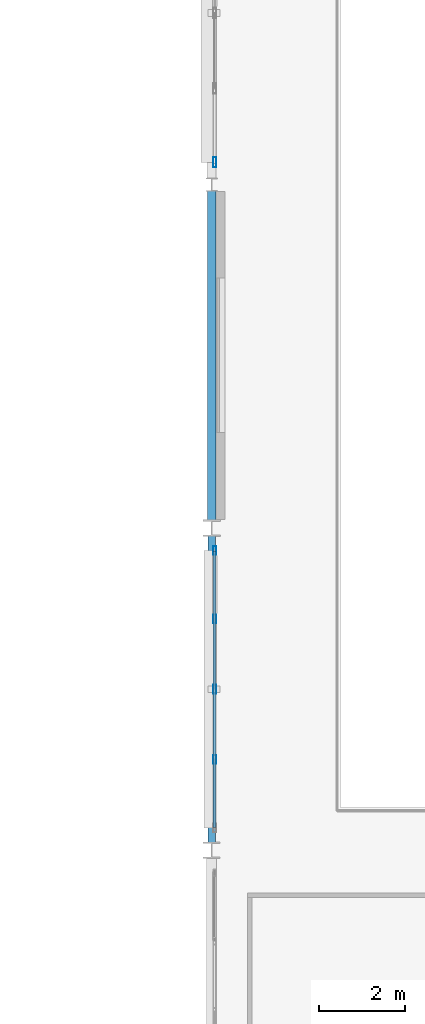
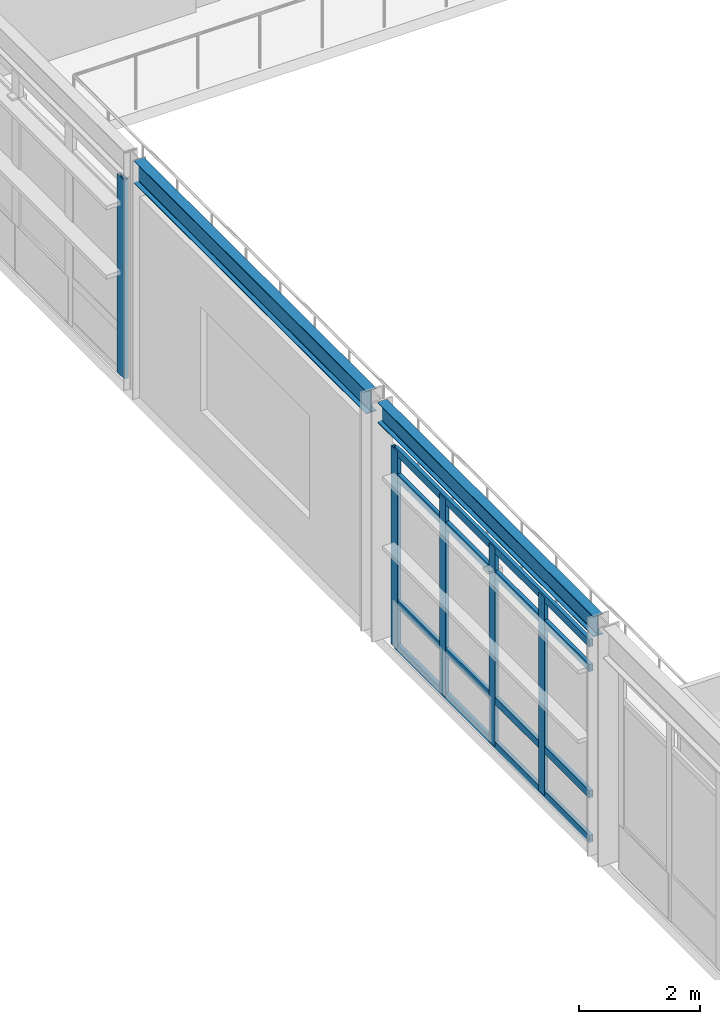
# One storey, part 20 of 56: 9 members, 2 beams, 2 elements without a shape of their own.
"""IFC4 building model written with IfcOpenShell, lengths in metres."""

from ifc_helpers import new_model, si_unit, direction, frame, origin, origin_2d, place, context, subcontext, project, spatial, hollow_rectangle, i_section, extrude, material, material_profile, profile_set, type_object, element, aggregate, save


model = new_model("IFC4")

# Units and contexts
model_context = context("Model", 3, precision=1e-05, world=origin(), true_north=direction((0.0, 1.0)))
body_context = subcontext(model_context, "Body", "Model", "MODEL_VIEW")
ifc_project = project(units=[si_unit("LENGTHUNIT", "METRE"), si_unit("AREAUNIT", "SQUARE_METRE"), si_unit("VOLUMEUNIT", "CUBIC_METRE"), si_unit("PLANEANGLEUNIT", "RADIAN"), si_unit("MASSUNIT", "GRAM", prefix="KILO"), si_unit("THERMODYNAMICTEMPERATUREUNIT", "KELVIN"), si_unit("POWERUNIT", "WATT")], contexts=[model_context])

# Site, building, storey
site_placement = place(None, origin())
site = spatial("IfcSite", under=ifc_project, at=site_placement, CompositionType="ELEMENT")
building_placement = place(site_placement, origin())
building = spatial("IfcBuilding", under=site, at=building_placement, Name="Tepalcoro Natatorium and Aquatics Centre", CompositionType="ELEMENT")
storey_placement = place(building_placement, frame((0.0, 0.0, 14.800048828125)))
storey = spatial("IfcBuildingStorey", under=building, at=storey_placement, Name="L03", CompositionType="ELEMENT", Elevation=14.800048828125)

# Curtain wall, members
ifc_material_1 = material(Name="Bronze-Anodised Extruded Aluminium Alloy EN AW-6063 T6", Category="aluminium")
curtain_wall_type_1 = type_object("IfcCurtainWallType", Name="CW_LEAN_T1_EW", PredefinedType="USERDEFINED", material=ifc_material_1)
curtain_wall_1_placement = place(storey_placement, origin())
curtain_wall_1 = element("IfcCurtainWall", 1, at=curtain_wall_1_placement, inside=storey, type_object=curtain_wall_type_1, Name="V2 L03 W Unitised Curtain Wall Bay 3", ObjectType="FACETED SOLAR GLAZING", PredefinedType="USERDEFINED")
ifc_material_profile_1 = material_profile(ifc_material_1, hollow_rectangle(XDim=0.070068359375, YDim=0.199951171875, WallThickness=0.0048828125, at=origin_2d()), Name="AL70X200X5")
ifc_profile_set_1 = profile_set([ifc_material_profile_1], Name="Bronze-Anodised Extruded Aluminium Alloy EN AW-6063 T6")
member_type_1 = type_object("IfcMemberType", Name="CW_MUL_70x200", PredefinedType="MULLION", material=ifc_profile_set_1)
member_1_placement = place(storey_placement, frame((142.0712890625, 22.614990234375, 0.02001953125), z_axis=(0.0, 0.0, 1.0), x_axis=(1.0, 0.0, 0.0)))
member_1 = element("IfcMember", 2, at=member_1_placement, type_object=member_type_1, Name="CW_LEAN_T1_EW Curtain Wall Mullion", PredefinedType="MULLION", context=body_context, shape_type="SweptSolid", body=[
    extrude(hollow_rectangle(XDim=0.070068359375, YDim=0.199951171875, WallThickness=0.0048828125, at=origin_2d()), origin(), (0.0, 0.0, 1.0), 4.010009765625),
])
member_2_placement = place(storey_placement, frame((142.0712890625, 24.25, 0.02001953125), z_axis=(0.0, 0.0, 1.0), x_axis=(1.0, 0.0, 0.0)))
member_2 = element("IfcMember", 3, at=member_2_placement, type_object=member_type_1, Name="CW_LEAN_T1_EW Curtain Wall Mullion", PredefinedType="MULLION", context=body_context, shape_type="SweptSolid", body=[
    extrude(hollow_rectangle(XDim=0.070068359375, YDim=0.199951171875, WallThickness=0.0048828125, at=origin_2d()), origin(), (0.0, 0.0, 1.0), 4.010009765625),
])
member_3_placement = place(storey_placement, frame((142.0712890625, 25.885009765625, 0.02001953125), z_axis=(0.0, 0.0, 1.0), x_axis=(1.0, 0.0, 0.0)))
member_3 = element("IfcMember", 4, at=member_3_placement, type_object=member_type_1, Name="CW_LEAN_T1_EW Curtain Wall Mullion", PredefinedType="MULLION", context=body_context, shape_type="SweptSolid", body=[
    extrude(hollow_rectangle(XDim=0.070068359375, YDim=0.199951171875, WallThickness=0.0048828125, at=origin_2d()), origin(), (0.0, 0.0, 1.0), 4.010009765625),
])
member_4_placement = place(storey_placement, frame((142.0712890625, 27.47998046875, 0.02001953125), z_axis=(0.0, 0.0, 1.0), x_axis=(1.0, 0.0, 0.0)))
member_4 = element("IfcMember", 5, at=member_4_placement, type_object=member_type_1, Name="CW_LEAN_T1_EW Curtain Wall Mullion", PredefinedType="MULLION", context=body_context, shape_type="SweptSolid", body=[
    extrude(hollow_rectangle(XDim=0.070068359375, YDim=0.199951171875, WallThickness=0.0048828125, at=origin_2d()), origin(), (0.0, 0.0, 1.0), 4.010009765625),
])

# Curtain wall, member
curtain_wall_type_2 = type_object("IfcCurtainWallType", Name="CW_LEAN_T2_EW", PredefinedType="USERDEFINED", material=ifc_material_1)
curtain_wall_2_placement = place(storey_placement, origin())
curtain_wall_2 = element("IfcCurtainWall", 6, at=curtain_wall_2_placement, inside=storey, type_object=curtain_wall_type_2, Name="V2 L03 W Unitised Curtain Wall Bay 5", ObjectType="FACETED SOLAR GLAZING", PredefinedType="USERDEFINED")
ifc_material_profile_2 = material_profile(ifc_material_1, hollow_rectangle(XDim=0.080078125, YDim=0.239990234375, WallThickness=0.0048828125, at=origin_2d()), Name="AL80X240X5")
ifc_profile_set_2 = profile_set([ifc_material_profile_2], Name="Bronze-Anodised Extruded Aluminium Alloy EN AW-6063 T6")
member_type_2 = type_object("IfcMemberType", Name="CW_MUL_80x240", PredefinedType="MULLION", material=ifc_profile_set_2)
member_5_placement = place(storey_placement, frame((142.0712890625, 36.52001953125, 0.02001953125), z_axis=(0.0, 0.0, 1.0), x_axis=(1.0, 0.0, 0.0)))
member_5 = element("IfcMember", 7, at=member_5_placement, type_object=member_type_2, Name="CW_LEAN_T2_EW Curtain Wall Mullion", PredefinedType="MULLION", context=body_context, shape_type="SweptSolid", body=[
    extrude(hollow_rectangle(XDim=0.080078125, YDim=0.239990234375, WallThickness=0.0048828125, at=origin_2d()), origin(), (0.0, 0.0, 1.0), 4.010009765625),
])
aggregate(curtain_wall_2, [member_5])

# Member
ifc_material_profile_3 = material_profile(ifc_material_1, hollow_rectangle(XDim=0.070068359375, YDim=0.14990234375, WallThickness=0.00390625, at=origin_2d()), Name="AL70X150X4")
ifc_profile_set_3 = profile_set([ifc_material_profile_3], Name="Bronze-Anodised Extruded Aluminium Alloy EN AW-6063 T6")
member_type_3 = type_object("IfcMemberType", Name="CW_TRN_70x150", PredefinedType="USERDEFINED", material=ifc_profile_set_3)
member_6_placement = place(storey_placement, frame((142.0712890625, 21.030029296875, 0.050048828125), z_axis=(0.0, 1.0, 0.0), x_axis=(-1.0, 0.0, 0.0)))
member_6 = element("IfcMember", 8, at=member_6_placement, type_object=member_type_3, Name="CW_LEAN_T1_EW Curtain Wall Transom", ObjectType="TRANSOM", PredefinedType="USERDEFINED", context=body_context, shape_type="SweptSolid", body=[
    extrude(hollow_rectangle(XDim=0.070068359375, YDim=0.14990234375, WallThickness=0.00390625, at=origin_2d()), origin(), (0.0, 0.0, 1.0), 6.43994140625),
])

member_7_placement = place(storey_placement, frame((142.0712890625, 21.030029296875, 0.949951171875), z_axis=(0.0, 1.0, 0.0), x_axis=(-1.0, 0.0, 0.0)))
member_7 = element("IfcMember", 9, at=member_7_placement, type_object=member_type_3, Name="CW_LEAN_T1_EW Curtain Wall Transom", ObjectType="TRANSOM", PredefinedType="USERDEFINED", context=body_context, shape_type="SweptSolid", body=[
    extrude(hollow_rectangle(XDim=0.070068359375, YDim=0.14990234375, WallThickness=0.00390625, at=origin_2d()), origin(), (0.0, 0.0, 1.0), 6.43994140625),
])

member_8_placement = place(storey_placement, frame((142.0712890625, 21.030029296875, 3.5), z_axis=(0.0, 1.0, 0.0), x_axis=(-1.0, 0.0, 0.0)))
member_8 = element("IfcMember", 10, at=member_8_placement, type_object=member_type_3, Name="CW_LEAN_T1_EW Curtain Wall Transom", ObjectType="TRANSOM", PredefinedType="USERDEFINED", context=body_context, shape_type="SweptSolid", body=[
    extrude(hollow_rectangle(XDim=0.070068359375, YDim=0.14990234375, WallThickness=0.00390625, at=origin_2d()), origin(), (0.0, 0.0, 1.0), 6.43994140625),
])

member_9_placement = place(storey_placement, frame((142.0712890625, 21.030029296875, 4.0), z_axis=(0.0, 1.0, 0.0), x_axis=(-1.0, 0.0, 0.0)))
member_9 = element("IfcMember", 11, at=member_9_placement, type_object=member_type_3, Name="CW_LEAN_T1_EW Curtain Wall Transom", ObjectType="TRANSOM", PredefinedType="USERDEFINED", context=body_context, shape_type="SweptSolid", body=[
    extrude(hollow_rectangle(XDim=0.070068359375, YDim=0.14990234375, WallThickness=0.00390625, at=origin_2d()), origin(), (0.0, 0.0, 1.0), 6.43994140625),
])

aggregate(curtain_wall_1, [member_1, member_2, member_3, member_4, member_6, member_7, member_8, member_9])

# Beams
ifc_material_2 = material(Name="Steel ASTM A992 Grade 50 (Fy 345 MPa)", Category="steel")
ifc_material_profile_4 = material_profile(ifc_material_2, i_section(OverallWidth=0.179931640625, OverallDepth=0.4130859375, WebThickness=0.010009765625, FlangeThickness=0.01611328125, FilletRadius=0.013916015625, at=origin_2d()), Name="W16X50")
ifc_profile_set_4 = profile_set([ifc_material_profile_4], Name="Steel ASTM A992 Grade 50 (Fy 345 MPa)")
beam_type_1 = type_object("IfcBeamType", Name="SP_HSS300x200x12", PredefinedType="SPANDREL", material=ifc_profile_set_4)
beam_1_placement = place(storey_placement, frame((142.0, 20.672119140625, 4.598388671875), z_axis=(0.0, 1.0, 0.0), x_axis=(-1.0, 0.0, 0.0)))
element("IfcBeam", 12, at=beam_1_placement, inside=storey, type_object=beam_type_1, Name="V2 L03 Grid Girder Y", PredefinedType="SPANDREL", context=body_context, shape_type="SweptSolid", body=[
    extrude(i_section(OverallWidth=0.179931640625, OverallDepth=0.4130859375, WebThickness=0.010009765625, FlangeThickness=0.01611328125, FilletRadius=0.013916015625, at=origin_2d()), origin(), (0.0, 0.0, 1.0), 7.1494140625),
])
ifc_material_profile_5 = material_profile(ifc_material_2, i_section(OverallWidth=0.19091796875, OverallDepth=0.4599609375, WebThickness=0.010009765625, FlangeThickness=0.01611328125, FilletRadius=0.013916015625, at=origin_2d()), Name="W18X55")
ifc_profile_set_5 = profile_set([ifc_material_profile_5], Name="Steel ASTM A992 Grade 50 (Fy 345 MPa)")
beam_type_2 = type_object("IfcBeamType", Name="SP_W18x55", PredefinedType="SPANDREL", material=ifc_profile_set_5)
beam_2_placement = place(storey_placement, frame((142.0, 28.178466796875, 4.574951171875), z_axis=(0.0, 1.0, 0.0), x_axis=(-1.0, 0.0, 0.0)))
element("IfcBeam", 13, at=beam_2_placement, inside=storey, type_object=beam_type_2, Name="V2 L03 Grid Girder Y", PredefinedType="SPANDREL", context=body_context, shape_type="SweptSolid", body=[
    extrude(i_section(OverallWidth=0.19091796875, OverallDepth=0.4599609375, WebThickness=0.010009765625, FlangeThickness=0.01611328125, FilletRadius=0.013916015625, at=origin_2d()), origin(), (0.0, 0.0, 1.0), 7.68896484375),
])

save(model, "model.ifc")
